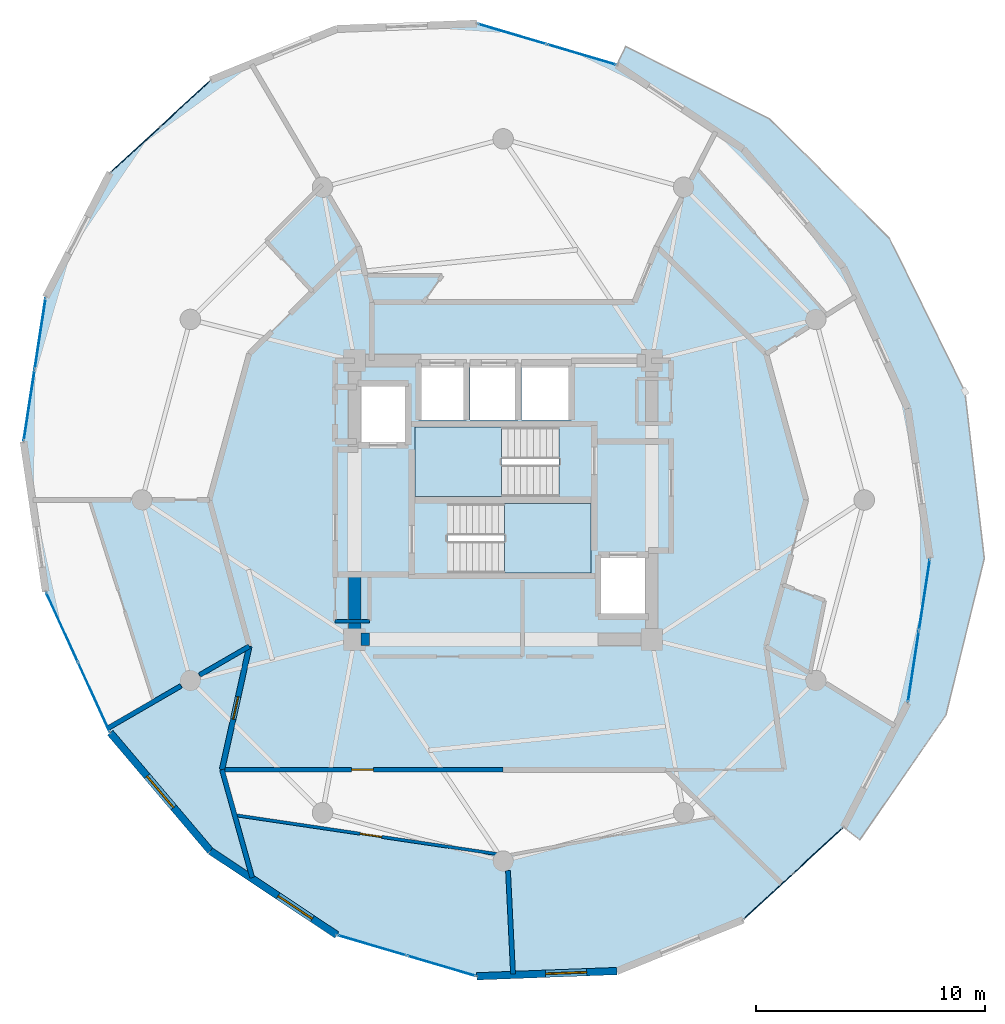
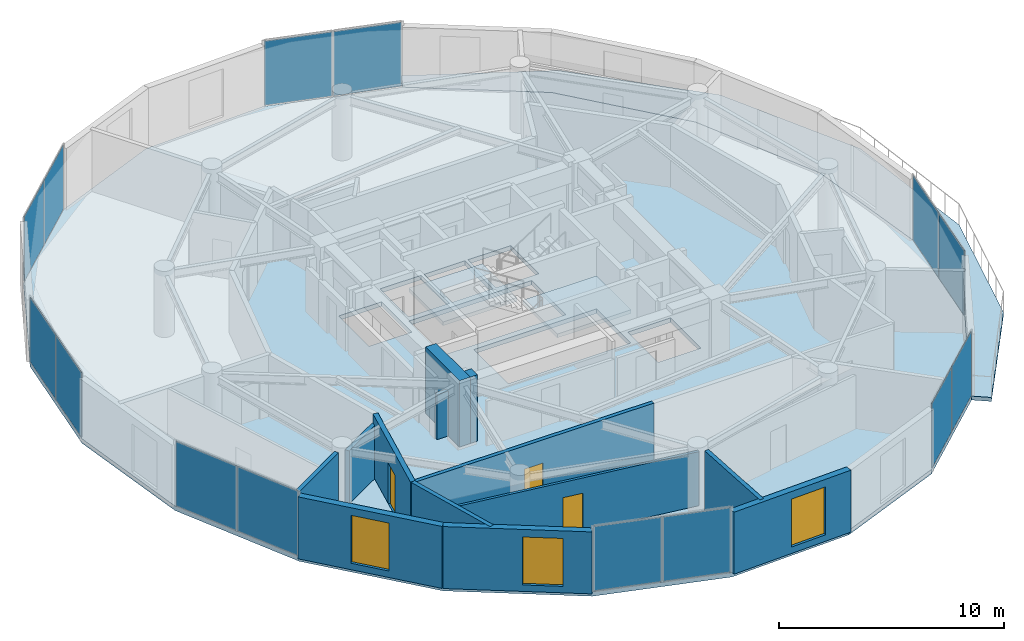
# One storey, part 18 of 24: 14 plates, 13 walls, 4 slabs, 3 doors, 3 windows, 6 openings, 9 elements without a shape of their own.
"""IFC4 building model written with IfcOpenShell, lengths in metres."""

from ifc_helpers import new_model, si_unit, direction, frame, frame_2d, origin, origin_2d, place, context, subcontext, project, spatial, polyline, rectangle, outline, extrude, source, transform, mapped, material, layer, layer_set, type_object, element, fill, aggregate, save


model = new_model("IFC4")

# Units and contexts
model_context = context("Model", 3, precision=1e-05, world=origin(), true_north=direction((0.0, 1.0)))
body_context = subcontext(model_context, "Body", "Model", "MODEL_VIEW")
ifc_project = project(units=[si_unit("LENGTHUNIT", "METRE"), si_unit("AREAUNIT", "SQUARE_METRE"), si_unit("VOLUMEUNIT", "CUBIC_METRE"), si_unit("PLANEANGLEUNIT", "RADIAN"), si_unit("MASSUNIT", "GRAM", prefix="KILO")], contexts=[model_context])

# Site, building, storey
site_placement = place(None, origin())
site = spatial("IfcSite", under=ifc_project, at=site_placement, CompositionType="ELEMENT")
building_placement = place(site_placement, origin())
building = spatial("IfcBuilding", under=site, at=building_placement, Name="Solvirekh Grand Hotel", CompositionType="ELEMENT")
storey_placement = place(building_placement, frame((0.0, 0.0, 184.0)))
storey = spatial("IfcBuildingStorey", under=building, at=storey_placement, Name="L47", CompositionType="ELEMENT", Elevation=184.0)

# Slab
ifc_material_1 = material(Name="Concrete C50/60", Category="concrete")
ifc_layer_1 = layer(ifc_material_1, 0.215087890625)
ifc_layer_set_1 = layer_set([ifc_layer_1], Name="Concrete C50/60")
slab_type_1 = type_object("IfcSlabType", Name="ExtCrescentBalc_215", PredefinedType="FLOOR", material=ifc_layer_set_1)
slab_1_placement = place(storey_placement, frame((0.0, 0.0, -0.215087890625)))
element("IfcSlab", 1, at=slab_1_placement, inside=storey, type_object=slab_type_1, Name="L47 sweeping crescent balcony slab", PredefinedType="FLOOR", context=body_context, shape_type="SweptSolid", body=[
    extrude(outline(polyline([(15.60791015625, -14.863037109375), (19.3740234375, -9.408935546875), (21.051025390625, -2.55810546875), (20.200927734375, 4.748046875), (16.89501953125, 11.451904296875), (11.6708984375, 16.6630859375), (5.361083984375, 19.844970703125), (4.97802734375, 19.031005859375), (10.506103515625, 15.35693359375), (14.89208984375, 10.180908203125), (17.7080078125, 4.008056640625), (18.678955078125, -2.55810546875), (17.7080078125, -8.873046875), (14.89111328125, -14.319091796875), (15.60791015625, -14.863037109375)])), origin(), (0.0, 0.0, 1.0), 0.215087890625),
])

# Stair, slab
ifc_material_2 = material(Name="Concrete C40/50", Category="concrete")
stair_type = type_object("IfcStairType", Name="Stair_Core_1450", PredefinedType="HALF_TURN_STAIR", material=ifc_material_2)
stair_1_placement = place(storey_placement, origin())
stair_1 = element("IfcStair", 2, at=stair_1_placement, inside=storey, type_object=stair_type, Name="L47 Enclosed exit stair ST-1", PredefinedType="HALF_TURN_STAIR")
ifc_layer_2 = layer(ifc_material_2, 0.199951171875)
ifc_layer_set_2 = layer_set([ifc_layer_2], Name="Concrete C40/50")
slab_type_2 = type_object("IfcSlabType", Name="Landing_Stair_200", PredefinedType="LANDING", material=ifc_layer_set_2)
slab_2_placement = place(storey_placement, frame((0.0, 0.0, 1.60009765625)))
slab_2 = element("IfcSlab", 3, at=slab_2_placement, type_object=slab_type_2, Name="ST-1 landing 1", PredefinedType="LANDING", context=body_context, shape_type="SweptSolid", body=[
    extrude(outline(polyline([(0.070068359375, -3.199951171875), (3.85009765625, -3.199951171875), (3.85009765625, -0.14990234375), (0.070068359375, -0.14990234375), (0.070068359375, -3.199951171875)])), origin(), (0.0, 0.0, 1.0), 0.199951171875),
])
aggregate(stair_1, [slab_2])

stair_2_placement = place(storey_placement, origin())
stair_2 = element("IfcStair", 4, at=stair_2_placement, inside=storey, type_object=stair_type, Name="L47 Enclosed exit stair ST-2", PredefinedType="HALF_TURN_STAIR")
slab_3_placement = place(storey_placement, frame((0.0, 0.0, 1.60009765625)))
slab_3 = element("IfcSlab", 5, at=slab_3_placement, type_object=slab_type_2, Name="ST-2 landing 1", PredefinedType="LANDING", context=body_context, shape_type="SweptSolid", body=[
    extrude(outline(polyline([(-0.070068359375, 3.199951171875), (-3.85009765625, 3.199951171875), (-3.85009765625, 0.14990234375), (-0.070068359375, 0.14990234375), (-0.070068359375, 3.199951171875)])), origin(), (0.0, 0.0, 1.0), 0.199951171875),
])
aggregate(stair_2, [slab_3])

# Slab
ifc_layer_3 = layer(ifc_material_2, 0.239990234375)
ifc_layer_set_3 = layer_set([ifc_layer_3], Name="Concrete C40/50")
slab_type_3 = type_object("IfcSlabType", Name="Slab_GuestZ3_240", PredefinedType="FLOOR", material=ifc_layer_set_3)
slab_4_placement = place(storey_placement, frame((0.0, 0.0, -0.239990234375)))
element("IfcSlab", 6, at=slab_4_placement, inside=storey, type_object=slab_type_3, Name="L47 structural floor slab", PredefinedType="FLOOR", context=body_context, shape_type="SweptSolid", body=[
    extrude(outline(polyline([(10.50390625, -18.364013671875), (14.89111328125, -14.319091796875), (17.7080078125, -8.873046875), (18.678955078125, -2.55810546875), (17.7080078125, 4.008056640625), (14.89208984375, 10.180908203125), (10.506103515625, 15.35693359375), (4.97802734375, 19.031005859375), (-1.14892578125, 20.841064453125), (-7.277099609375, 20.611083984375), (-12.803955078125, 18.364013671875), (-17.19091796875, 14.319091796875), (-20.008056640625, 8.873046875), (-20.97900390625, 2.55810546875), (-20.008056640625, -4.008056640625), (-17.19189453125, -10.180908203125), (-12.805908203125, -15.35693359375), (-7.278076171875, -19.031005859375), (-1.15087890625, -20.841064453125), (4.97705078125, -20.611083984375), (10.50390625, -18.364013671875)]), holes=[polyline([(-2.444091796875, -0.14990234375), (3.85009765625, -0.14990234375), (3.85009765625, -3.199951171875), (-2.444091796875, -3.199951171875), (-2.444091796875, -0.14990234375)]), polyline([(2.444091796875, 0.14990234375), (-3.85009765625, 0.14990234375), (-3.85009765625, 3.199951171875), (2.444091796875, 3.199951171875), (2.444091796875, 0.14990234375)]), polyline([(-3.699951171875, 6.0), (-1.60009765625, 6.0), (-1.60009765625, 3.5), (-3.699951171875, 3.5), (-3.699951171875, 6.0)]), polyline([(-1.449951171875, 6.0), (0.64990234375, 6.0), (0.64990234375, 3.5), (-1.449951171875, 3.5), (-1.449951171875, 6.0)]), polyline([(0.800048828125, 6.0), (3.0, 6.0), (3.0, 3.5), (0.800048828125, 3.5), (0.800048828125, 6.0)]), polyline([(-6.35009765625, 5.10009765625), (-4.14990234375, 5.10009765625), (-4.14990234375, 2.39990234375), (-6.35009765625, 2.39990234375), (-6.35009765625, 5.10009765625)]), polyline([(4.14990234375, -2.39990234375), (6.35009765625, -2.39990234375), (6.35009765625, -5.10009765625), (4.14990234375, -5.10009765625), (4.14990234375, -2.39990234375)])]), origin(), (0.0, 0.0, 1.0), 0.239990234375),
])

# Curtain wall, plates
ifc_material_3 = material(Name="Anodized Bronze Aluminium 6063-T6", Category="aluminium")
ifc_layer_4 = layer(ifc_material_3, 0.159912109375)
ifc_layer_set_4 = layer_set([ifc_layer_4], Name="Anodized Bronze Aluminium 6063-T6")
curtain_wall_type = type_object("IfcCurtainWallType", Name="CW_Sys4_HighZoneFlushBronzeCW", PredefinedType="NOTDEFINED", material=ifc_layer_set_4)
curtain_wall_1_placement = place(storey_placement, origin())
curtain_wall_1 = element("IfcCurtainWall", 7, at=curtain_wall_1_placement, inside=storey, type_object=curtain_wall_type, Name="L47 unitised bronze-glass curtain wall CW-L47-C15", PredefinedType="NOTDEFINED")
ifc_material_4 = material(Name="Low-E Tinted Bronze Laminated Glass", Category="aluminium")
ifc_layer_5 = layer(ifc_material_4, 0.033935546875)
ifc_layer_set_5 = layer_set([ifc_layer_5], Name="Low-E Tinted Bronze Laminated Glass")
plate_type = type_object("IfcPlateType", Name="CWPanel_High_34", PredefinedType="CURTAIN_PANEL", material=ifc_layer_set_5)
shared_shape_1 = source(origin(), body_context, "Body", "SweptSolid", [
    extrude(rectangle(XDim=3.302490234375, YDim=0.033935546875, at=origin_2d()), origin(), (0.0, 0.0, 1.0), 3.489990234375),
])
plate_1_placement = place(storey_placement, frame((-19.2978515625, -5.56494140625, 0.05517578125), z_axis=(0.0, 0.0, 1.0), x_axis=(0.415035144784, -0.909805379515, 0.0)))
plate_1 = element("IfcPlate", 8, at=plate_1_placement, type_object=plate_type, Name="U04 panel 1.1", PredefinedType="CURTAIN_PANEL", context=body_context, shape_type="MappedRepresentation", body=[
    mapped(shared_shape_1, transform((0.0, 0.0, 0.0), x_axis=(1.0, 0.0, 0.0), y_axis=(0.0, 1.0, 0.0), z_axis=(0.0, 0.0, 1.0), scale=1.0)),
])
plate_2_placement = place(storey_placement, frame((-17.90234375, -8.6240234375, 0.05517578125), z_axis=(0.0, 0.0, 1.0), x_axis=(0.415035144784, -0.909805379515, 0.0)))
plate_2 = element("IfcPlate", 9, at=plate_2_placement, type_object=plate_type, Name="U04 panel 2.1", PredefinedType="CURTAIN_PANEL", context=body_context, shape_type="MappedRepresentation", body=[
    mapped(shared_shape_1, transform((0.0, 0.0, 0.0), x_axis=(1.0, 0.0, 0.0), y_axis=(0.0, 1.0, 0.0), z_axis=(0.0, 0.0, 1.0), scale=1.0)),
])
aggregate(curtain_wall_1, [plate_1, plate_2])

curtain_wall_2_placement = place(storey_placement, origin())
curtain_wall_2 = element("IfcCurtainWall", 10, at=curtain_wall_2_placement, inside=storey, type_object=curtain_wall_type, Name="L47 unitised bronze-glass curtain wall CW-L47-C01", PredefinedType="NOTDEFINED")
shared_shape_2 = source(origin(), body_context, "Body", "SweptSolid", [
    extrude(rectangle(XDim=2.8935546875, YDim=0.033935546875, at=origin_2d()), origin(), (0.0, 0.0, 1.0), 3.489990234375),
])
plate_3_placement = place(storey_placement, frame((11.61181640625, -17.342529296875, 0.05517578125), z_axis=(0.0, 0.0, 1.0), x_axis=(0.735182397228, 0.677869340512, 0.0)))
plate_3 = element("IfcPlate", 11, at=plate_3_placement, type_object=plate_type, Name="U04 panel 1.1", PredefinedType="CURTAIN_PANEL", context=body_context, shape_type="MappedRepresentation", body=[
    mapped(shared_shape_2, transform((0.0, 0.0, 0.0), x_axis=(1.0, 0.0, 0.0), y_axis=(0.0, 1.0, 0.0), z_axis=(0.0, 0.0, 1.0), scale=1.0)),
])
plate_4_placement = place(storey_placement, frame((13.783203125, -15.34033203125, 0.05517578125), z_axis=(0.0, 0.0, 1.0), x_axis=(0.735182397228, 0.677869340512, 0.0)))
plate_4 = element("IfcPlate", 12, at=plate_4_placement, type_object=plate_type, Name="U04 panel 2.1", PredefinedType="CURTAIN_PANEL", context=body_context, shape_type="MappedRepresentation", body=[
    mapped(shared_shape_2, transform((0.0, 0.0, 0.0), x_axis=(1.0, 0.0, 0.0), y_axis=(0.0, 1.0, 0.0), z_axis=(0.0, 0.0, 1.0), scale=1.0)),
])
aggregate(curtain_wall_2, [plate_3, plate_4])

curtain_wall_3_placement = place(storey_placement, origin())
curtain_wall_3 = element("IfcCurtainWall", 13, at=curtain_wall_3_placement, inside=storey, type_object=curtain_wall_type, Name="L47 unitised bronze-glass curtain wall CW-L47-C11", PredefinedType="NOTDEFINED")
plate_5_placement = place(storey_placement, frame((-13.911865234375, 17.342529296875, 0.05517578125), z_axis=(0.0, 0.0, 1.0), x_axis=(-0.735182397228, -0.677869340512, 0.0)))
plate_5 = element("IfcPlate", 14, at=plate_5_placement, type_object=plate_type, Name="U04 panel 1.1", PredefinedType="CURTAIN_PANEL", context=body_context, shape_type="MappedRepresentation", body=[
    mapped(shared_shape_2, transform((0.0, 0.0, 0.0), x_axis=(1.0, 0.0, 0.0), y_axis=(0.0, 1.0, 0.0), z_axis=(0.0, 0.0, 1.0), scale=1.0)),
])
plate_6_placement = place(storey_placement, frame((-16.083251953125, 15.34033203125, 0.05517578125), z_axis=(0.0, 0.0, 1.0), x_axis=(-0.735182397228, -0.677869340512, 0.0)))
plate_6 = element("IfcPlate", 15, at=plate_6_placement, type_object=plate_type, Name="U04 panel 2.1", PredefinedType="CURTAIN_PANEL", context=body_context, shape_type="MappedRepresentation", body=[
    mapped(shared_shape_2, transform((0.0, 0.0, 0.0), x_axis=(1.0, 0.0, 0.0), y_axis=(0.0, 1.0, 0.0), z_axis=(0.0, 0.0, 1.0), scale=1.0)),
])
aggregate(curtain_wall_3, [plate_5, plate_6])

curtain_wall_4_placement = place(storey_placement, origin())
curtain_wall_4 = element("IfcCurtainWall", 16, at=curtain_wall_4_placement, inside=storey, type_object=curtain_wall_type, Name="L47 unitised bronze-glass curtain wall CW-L47-C03", PredefinedType="NOTDEFINED")
shared_shape_3 = source(origin(), body_context, "Body", "SweptSolid", [
    extrude(rectangle(XDim=3.1044921875, YDim=0.033935546875, at=origin_2d()), origin(), (0.0, 0.0, 1.0), 3.489990234375),
])
plate_7_placement = place(storey_placement, frame((17.953125, -7.279541015625, 0.05517578125), z_axis=(0.0, 0.0, 1.0), x_axis=(0.151974855674, 0.988384360076, 0.0)))
plate_7 = element("IfcPlate", 17, at=plate_7_placement, type_object=plate_type, Name="U04 panel 1.1", PredefinedType="CURTAIN_PANEL", context=body_context, shape_type="MappedRepresentation", body=[
    mapped(shared_shape_3, transform((0.0, 0.0, 0.0), x_axis=(1.0, 0.0, 0.0), y_axis=(0.0, 1.0, 0.0), z_axis=(0.0, 0.0, 1.0), scale=1.0)),
])
plate_8_placement = place(storey_placement, frame((18.43408203125, -4.151611328125, 0.05517578125), z_axis=(0.0, 0.0, 1.0), x_axis=(0.151974855674, 0.988384360076, 0.0)))
plate_8 = element("IfcPlate", 18, at=plate_8_placement, type_object=plate_type, Name="U04 panel 2.1", PredefinedType="CURTAIN_PANEL", context=body_context, shape_type="MappedRepresentation", body=[
    mapped(shared_shape_3, transform((0.0, 0.0, 0.0), x_axis=(1.0, 0.0, 0.0), y_axis=(0.0, 1.0, 0.0), z_axis=(0.0, 0.0, 1.0), scale=1.0)),
])
aggregate(curtain_wall_4, [plate_7, plate_8])

curtain_wall_5_placement = place(storey_placement, origin())
curtain_wall_5 = element("IfcCurtainWall", 19, at=curtain_wall_5_placement, inside=storey, type_object=curtain_wall_type, Name="L47 unitised bronze-glass curtain wall CW-L47-C08", PredefinedType="NOTDEFINED")
plate_9_placement = place(storey_placement, frame((3.431884765625, 19.48779296875, 0.05517578125), z_axis=(0.0, 0.0, 1.0), x_axis=(-0.959028340669, 0.283310151236, 0.0)))
plate_9 = element("IfcPlate", 20, at=plate_9_placement, type_object=plate_type, Name="U04 panel 1.1", PredefinedType="CURTAIN_PANEL", context=body_context, shape_type="MappedRepresentation", body=[
    mapped(shared_shape_3, transform((0.0, 0.0, 0.0), x_axis=(1.0, 0.0, 0.0), y_axis=(0.0, 1.0, 0.0), z_axis=(0.0, 0.0, 1.0), scale=1.0)),
])
plate_10_placement = place(storey_placement, frame((0.397216796875, 20.38427734375, 0.05517578125), z_axis=(0.0, 0.0, 1.0), x_axis=(-0.959028340669, 0.283310151236, 0.0)))
plate_10 = element("IfcPlate", 21, at=plate_10_placement, type_object=plate_type, Name="U04 panel 2.1", PredefinedType="CURTAIN_PANEL", context=body_context, shape_type="MappedRepresentation", body=[
    mapped(shared_shape_3, transform((0.0, 0.0, 0.0), x_axis=(1.0, 0.0, 0.0), y_axis=(0.0, 1.0, 0.0), z_axis=(0.0, 0.0, 1.0), scale=1.0)),
])
aggregate(curtain_wall_5, [plate_9, plate_10])

curtain_wall_6_placement = place(storey_placement, origin())
curtain_wall_6 = element("IfcCurtainWall", 22, at=curtain_wall_6_placement, inside=storey, type_object=curtain_wall_type, Name="L47 unitised bronze-glass curtain wall CW-L47-C13", PredefinedType="NOTDEFINED")
plate_11_placement = place(storey_placement, frame((-20.2529296875, 7.279541015625, 0.05517578125), z_axis=(0.0, 0.0, 1.0), x_axis=(-0.151974855674, -0.988384360076, 0.0)))
plate_11 = element("IfcPlate", 23, at=plate_11_placement, type_object=plate_type, Name="U04 panel 1.1", PredefinedType="CURTAIN_PANEL", context=body_context, shape_type="MappedRepresentation", body=[
    mapped(shared_shape_3, transform((0.0, 0.0, 0.0), x_axis=(1.0, 0.0, 0.0), y_axis=(0.0, 1.0, 0.0), z_axis=(0.0, 0.0, 1.0), scale=1.0)),
])
plate_12_placement = place(storey_placement, frame((-20.73388671875, 4.151611328125, 0.05517578125), z_axis=(0.0, 0.0, 1.0), x_axis=(-0.151974855674, -0.988384360076, 0.0)))
plate_12 = element("IfcPlate", 24, at=plate_12_placement, type_object=plate_type, Name="U04 panel 2.1", PredefinedType="CURTAIN_PANEL", context=body_context, shape_type="MappedRepresentation", body=[
    mapped(shared_shape_3, transform((0.0, 0.0, 0.0), x_axis=(1.0, 0.0, 0.0), y_axis=(0.0, 1.0, 0.0), z_axis=(0.0, 0.0, 1.0), scale=1.0)),
])
aggregate(curtain_wall_6, [plate_11, plate_12])

curtain_wall_7_placement = place(storey_placement, origin())
curtain_wall_7 = element("IfcCurtainWall", 25, at=curtain_wall_7_placement, inside=storey, type_object=curtain_wall_type, Name="L47 unitised bronze-glass curtain wall CW-L47-C18", PredefinedType="NOTDEFINED")
plate_13_placement = place(storey_placement, frame((-5.73193359375, -19.48779296875, 0.05517578125), z_axis=(0.0, 0.0, 1.0), x_axis=(0.959028340669, -0.283310151236, 0.0)))
plate_13 = element("IfcPlate", 26, at=plate_13_placement, type_object=plate_type, Name="U04 panel 1.1", PredefinedType="CURTAIN_PANEL", context=body_context, shape_type="MappedRepresentation", body=[
    mapped(shared_shape_3, transform((0.0, 0.0, 0.0), x_axis=(1.0, 0.0, 0.0), y_axis=(0.0, 1.0, 0.0), z_axis=(0.0, 0.0, 1.0), scale=1.0)),
])
plate_14_placement = place(storey_placement, frame((-2.697021484375, -20.38427734375, 0.05517578125), z_axis=(0.0, 0.0, 1.0), x_axis=(0.959028340669, -0.283310151236, 0.0)))
plate_14 = element("IfcPlate", 27, at=plate_14_placement, type_object=plate_type, Name="U04 panel 2.1", PredefinedType="CURTAIN_PANEL", context=body_context, shape_type="MappedRepresentation", body=[
    mapped(shared_shape_3, transform((0.0, 0.0, 0.0), x_axis=(1.0, 0.0, 0.0), y_axis=(0.0, 1.0, 0.0), z_axis=(0.0, 0.0, 1.0), scale=1.0)),
])
aggregate(curtain_wall_7, [plate_13, plate_14])

# Walls
ifc_layer_6 = layer(ifc_material_1, 0.550048828125)
ifc_layer_set_6 = layer_set([ifc_layer_6], Name="Concrete C50/60")
wall_type_1 = type_object("IfcWallType", Name="CoreWall_RC550", PredefinedType="SHEAR", material=ifc_layer_set_6)
wall_1_placement = place(storey_placement, frame((-6.22509765625, -6.10009765625, 0.0), z_axis=(0.0, 0.0, 1.0), x_axis=(1.0, 0.0, 0.0)))
element("IfcWall", 28, at=wall_1_placement, inside=storey, type_object=wall_type_1, Name="L47 core corner shear wall SW-S", PredefinedType="SHEAR", context=body_context, shape_type="SweptSolid", body=[
    extrude(rectangle(XDim=0.375, YDim=0.550048828125, at=frame_2d((0.1875, 0.0))), origin(), (0.0, 0.0, 1.0), 3.60009765625),
])
wall_2_placement = place(storey_placement, frame((-6.5, -6.375, 0.0), z_axis=(0.0, 0.0, 1.0), x_axis=(0.0, 1.0, 0.0)))
element("IfcWall", 29, at=wall_2_placement, inside=storey, type_object=wall_type_1, Name="L47 core corner shear wall WS-W", PredefinedType="SHEAR", context=body_context, shape_type="SweptSolid", body=[
    extrude(rectangle(XDim=3.02490234375, YDim=0.550048828125, at=frame_2d((1.512451171875, 0.0))), origin(), (0.0, 0.0, 1.0), 3.60009765625),
])

# Wall, opening, window
ifc_material_5 = material(Name="Precast concrete C45/55", Category="concrete")
ifc_layer_7 = layer(ifc_material_5, 0.320068359375)
ifc_layer_set_7 = layer_set([ifc_layer_7], Name="Precast concrete C45/55")
wall_type_2 = type_object("IfcWallType", Name="ExtLobbyWall_RC320", PredefinedType="SOLIDWALL", material=ifc_layer_set_7)
wall_3_placement = place(storey_placement, frame((-12.805908203125, -15.35693359375, 0.0), z_axis=(0.0, 0.0, 1.0), x_axis=(-0.646480871515, 0.762930195212, 0.0)))
wall_3 = element("IfcWall", 30, at=wall_3_placement, inside=storey, type_object=wall_type_2, Name="L47 exterior structural wall chord 16", PredefinedType="SOLIDWALL", context=body_context, shape_type="SweptSolid", body=[
    extrude(rectangle(XDim=6.784423828125, YDim=0.320068359375, at=frame_2d((3.39208984375, 0.0))), origin(), (0.0, 0.0, 1.0), 3.360107421875),
])
opening_1_placement = place(wall_3_placement, frame((2.491943359375, 0.0, 0.35009765625)))
opening_1 = element("IfcOpeningElement", 31, at=opening_1_placement, cuts=wall_3, Name="Opening W02", PredefinedType="OPENING", context=body_context, shape_type="SweptSolid", body=[
    extrude(rectangle(XDim=1.800048828125, YDim=2.60009765625, at=frame_2d((0.89990234375, 1.300048828125))), frame((0.0, 0.169921875, 0.0), z_axis=(0.0, -1.0, 0.0), x_axis=(1.0, 0.0, 0.0)), (0.0, 0.0, 1.0), 0.340087890625),
])
window_type = type_object("IfcWindowType", Name="Win_LobbyExt_1800X2600", PartitioningType="SINGLE_PANEL", PredefinedType="WINDOW", material=ifc_material_4)
window_1_placement = place(opening_1_placement, origin())
window_1 = element("IfcWindow", 32, at=window_1_placement, inside=storey, type_object=window_type, Name="L47 panoramic bronze-framed window 16", OverallHeight=2.60009765625, OverallWidth=1.800048828125, PartitioningType="SINGLE_PANEL", PredefinedType="WINDOW", context=body_context, shape_type="SweptSolid", body=[
    extrude(rectangle(XDim=1.800048828125, YDim=2.60009765625, at=frame_2d((0.89990234375, 1.300048828125))), frame((0.0, 0.030029296875, 0.0), z_axis=(0.0, -1.0, 0.0), x_axis=(1.0, 0.0, 0.0)), (0.0, 0.0, 1.0), 0.06005859375),
])
fill(opening_1, window_1)

wall_4_placement = place(storey_placement, frame((-7.278076171875, -19.031005859375, 0.0), z_axis=(0.0, 0.0, 1.0), x_axis=(-0.832824739321, 0.553536768043, 0.0)))
wall_4 = element("IfcWall", 33, at=wall_4_placement, inside=storey, type_object=wall_type_2, Name="L47 exterior structural wall chord 17", PredefinedType="SOLIDWALL", context=body_context, shape_type="SweptSolid", body=[
    extrude(rectangle(XDim=6.637451171875, YDim=0.320068359375, at=frame_2d((3.31884765625, 0.0))), origin(), (0.0, 0.0, 1.0), 3.360107421875),
])
opening_2_placement = place(wall_4_placement, frame((1.284912109375, 0.0, 0.35009765625)))
opening_2 = element("IfcOpeningElement", 34, at=opening_2_placement, cuts=wall_4, Name="Opening W02", PredefinedType="OPENING", context=body_context, shape_type="SweptSolid", body=[
    extrude(rectangle(XDim=1.800048828125, YDim=2.60009765625, at=frame_2d((0.89990234375, 1.300048828125))), frame((0.0, 0.169921875, 0.0), z_axis=(0.0, -1.0, 0.0), x_axis=(1.0, 0.0, 0.0)), (0.0, 0.0, 1.0), 0.340087890625),
])
window_2_placement = place(opening_2_placement, origin())
window_2 = element("IfcWindow", 35, at=window_2_placement, inside=storey, type_object=window_type, Name="L47 panoramic bronze-framed window 17", OverallHeight=2.60009765625, OverallWidth=1.800048828125, PartitioningType="SINGLE_PANEL", PredefinedType="WINDOW", context=body_context, shape_type="SweptSolid", body=[
    extrude(rectangle(XDim=1.800048828125, YDim=2.60009765625, at=frame_2d((0.89990234375, 1.300048828125))), frame((0.0, 0.030029296875, 0.0), z_axis=(0.0, -1.0, 0.0), x_axis=(1.0, 0.0, 0.0)), (0.0, 0.0, 1.0), 0.06005859375),
])
fill(opening_2, window_2)

wall_5_placement = place(storey_placement, frame((4.97705078125, -20.611083984375, 0.0), z_axis=(0.0, 0.0, 1.0), x_axis=(-0.999296497107, -0.037503478099, 0.0)))
wall_5 = element("IfcWall", 36, at=wall_5_placement, inside=storey, type_object=wall_type_2, Name="L47 exterior structural wall chord 19", PredefinedType="SOLIDWALL", context=body_context, shape_type="SweptSolid", body=[
    extrude(rectangle(XDim=6.13232421875, YDim=0.320068359375, at=frame_2d((3.066162109375, 0.0))), origin(), (0.0, 0.0, 1.0), 3.360107421875),
])
opening_3_placement = place(wall_5_placement, frame((1.322021484375, 0.0, 0.35009765625)))
opening_3 = element("IfcOpeningElement", 37, at=opening_3_placement, cuts=wall_5, Name="Opening W02", PredefinedType="OPENING", context=body_context, shape_type="SweptSolid", body=[
    extrude(rectangle(XDim=1.800048828125, YDim=2.60009765625, at=frame_2d((0.89990234375, 1.300048828125))), frame((0.0, 0.169921875, 0.0), z_axis=(0.0, -1.0, 0.0), x_axis=(1.0, 0.0, 0.0)), (0.0, 0.0, 1.0), 0.340087890625),
])
window_3_placement = place(opening_3_placement, origin())
window_3 = element("IfcWindow", 38, at=window_3_placement, inside=storey, type_object=window_type, Name="L47 panoramic bronze-framed window 19", OverallHeight=2.60009765625, OverallWidth=1.800048828125, PartitioningType="SINGLE_PANEL", PredefinedType="WINDOW", context=body_context, shape_type="SweptSolid", body=[
    extrude(rectangle(XDim=1.800048828125, YDim=2.60009765625, at=frame_2d((0.89990234375, 1.300048828125))), frame((0.0, 0.030029296875, 0.0), z_axis=(0.0, -1.0, 0.0), x_axis=(1.0, 0.0, 0.0)), (0.0, 0.0, 1.0), 0.06005859375),
])
fill(opening_3, window_3)

# Wall
ifc_material_6 = material(Name="Acoustic Gypsum Partition Assembly")
ifc_layer_8 = layer(ifc_material_6, 0.1650390625)
ifc_layer_set_8 = layer_set([ifc_layer_8], Name="Acoustic Gypsum Partition Assembly")
wall_type_3 = type_object("IfcWallType", Name="Part_BOH_165", PredefinedType="PARTITIONING", material=ifc_layer_set_8)
wall_6_placement = place(storey_placement, frame((-7.35009765625, -5.300048828125, 0.0), z_axis=(0.0, 0.0, 1.0), x_axis=(1.0, 0.0, 0.0)))
element("IfcWall", 39, at=wall_6_placement, inside=storey, type_object=wall_type_3, Name="L47 L47 Butler Service Closet wall 1", PredefinedType="PARTITIONING", context=body_context, shape_type="SweptSolid", body=[
    extrude(rectangle(XDim=1.5, YDim=0.1650390625, at=frame_2d((0.75, 0.0))), origin(), (0.0, 0.0, 1.0), 2.445068359375),
])

# Wall, opening, door
ifc_layer_9 = layer(ifc_material_6, 0.239990234375)
ifc_layer_set_9 = layer_set([ifc_layer_9], Name="Acoustic Gypsum Partition Assembly")
wall_type_4 = type_object("IfcWallType", Name="Part_Corridor_240", PredefinedType="PARTITIONING", material=ifc_layer_set_9)
wall_7_placement = place(storey_placement, frame((-11.10205078125, -6.39990234375, 0.0), z_axis=(0.0, 0.0, 1.0), x_axis=(-0.216579944639, -0.976264885971, 0.0)))
wall_7 = element("IfcWall", 40, at=wall_7_placement, inside=storey, type_object=wall_type_4, Name="L47 L47 South-West Study Lounge entrance wall", PredefinedType="PARTITIONING", context=body_context, shape_type="SweptSolid", body=[
    extrude(rectangle(XDim=5.531494140625, YDim=0.239990234375, at=frame_2d((2.765625, 0.0))), origin(), (0.0, 0.0, 1.0), 3.360107421875),
])
opening_4_placement = place(wall_7_placement, frame((2.26611328125, 0.0, 0.0)))
opening_4 = element("IfcOpeningElement", 41, at=opening_4_placement, cuts=wall_7, Name="Opening D07", PredefinedType="OPENING", context=body_context, shape_type="SweptSolid", body=[
    extrude(rectangle(XDim=1.0, YDim=2.199951171875, at=frame_2d((0.5, 1.10009765625))), frame((0.0, 0.1298828125, 0.0), z_axis=(0.0, -1.0, 0.0), x_axis=(1.0, 0.0, 0.0)), (0.0, 0.0, 1.0), 0.260009765625),
])
ifc_material_7 = material(Name="Fire-Rated Steel Door Assembly", Category="steel")
door_type_1 = type_object("IfcDoorType", Name="Door_GuestEntry_1000X2200", OperationType="NOTDEFINED", PredefinedType="DOOR", material=ifc_material_7)
door_1_placement = place(opening_4_placement, origin())
door_1 = element("IfcDoor", 42, at=door_1_placement, inside=storey, type_object=door_type_1, Name="L47 L47 South-West Study Lounge entrance door", OperationType="SINGLE_SWING_RIGHT", OverallHeight=2.199951171875, OverallWidth=1.0, PredefinedType="DOOR", context=body_context, shape_type="SweptSolid", body=[
    extrude(rectangle(XDim=1.0, YDim=2.199951171875, at=frame_2d((0.5, 1.10009765625))), frame((0.0, 0.02490234375, 0.0), z_axis=(0.0, -1.0, 0.0), x_axis=(1.0, 0.0, 0.0)), (0.0, 0.0, 1.0), 0.050048828125),
])
fill(opening_4, door_1)

ifc_layer_10 = layer(ifc_material_6, 0.18994140625)
ifc_layer_set_10 = layer_set([ifc_layer_10], Name="Acoustic Gypsum Partition Assembly")
wall_type_5 = type_object("IfcWallType", Name="Part_GuestDemise_190", PredefinedType="PARTITIONING", material=ifc_layer_set_10)
wall_8_placement = place(storey_placement, frame((-12.300048828125, -11.800048828125, 0.0), z_axis=(0.0, 0.0, 1.0), x_axis=(1.0, 0.0, 0.0)))
wall_8 = element("IfcWall", 43, at=wall_8_placement, inside=storey, type_object=wall_type_5, Name="L47 L47 Imperial Tea Lounge entrance wall", PredefinedType="PARTITIONING", context=body_context, shape_type="SweptSolid", body=[
    extrude(rectangle(XDim=12.300048828125, YDim=0.18994140625, at=frame_2d((6.14990234375, 0.0))), origin(), (0.0, 0.0, 1.0), 3.360107421875),
])
opening_5_placement = place(wall_8_placement, frame((5.675048828125, 0.0, 0.0)))
opening_5 = element("IfcOpeningElement", 44, at=opening_5_placement, cuts=wall_8, Name="Opening D10", PredefinedType="OPENING", context=body_context, shape_type="SweptSolid", body=[
    extrude(rectangle(XDim=0.949951171875, YDim=2.10009765625, at=frame_2d((0.47509765625, 1.050048828125))), frame((0.0, 0.10498046875, 0.0), z_axis=(0.0, -1.0, 0.0), x_axis=(1.0, 0.0, 0.0)), (0.0, 0.0, 1.0), 0.2099609375),
])
door_type_2 = type_object("IfcDoorType", Name="Door_RoomInt_950X2100", OperationType="NOTDEFINED", PredefinedType="DOOR", material=ifc_material_3)
door_2_placement = place(opening_5_placement, origin())
door_2 = element("IfcDoor", 45, at=door_2_placement, inside=storey, type_object=door_type_2, Name="L47 L47 Imperial Tea Lounge entrance door", OperationType="SINGLE_SWING_LEFT", OverallHeight=2.10009765625, OverallWidth=0.949951171875, PredefinedType="DOOR", context=body_context, shape_type="SweptSolid", body=[
    extrude(rectangle(XDim=0.949951171875, YDim=2.10009765625, at=frame_2d((0.47509765625, 1.050048828125))), frame((0.0, 0.02490234375, 0.0), z_axis=(0.0, -1.0, 0.0), x_axis=(1.0, 0.0, 0.0)), (0.0, 0.0, 1.0), 0.050048828125),
])
fill(opening_5, door_2)

ifc_layer_11 = layer(ifc_material_6, 0.135009765625)
ifc_layer_set_11 = layer_set([ifc_layer_11], Name="Acoustic Gypsum Partition Assembly")
wall_type_6 = type_object("IfcWallType", Name="Part_RoomInt_135", PredefinedType="PARTITIONING", material=ifc_layer_set_11)
wall_9_placement = place(storey_placement, frame((-11.7451171875, -13.783935546875, 0.0), z_axis=(0.0, 0.0, 1.0), x_axis=(0.989154922739, -0.146875930026, 0.0)))
wall_9 = element("IfcWall", 46, at=wall_9_placement, inside=storey, type_object=wall_type_6, Name="L47 L47 South Horizon Conservatory bedroom screen wall", PredefinedType="PARTITIONING", context=body_context, shape_type="SweptSolid", body=[
    extrude(rectangle(XDim=12.057861328125, YDim=0.135009765625, at=frame_2d((6.02880859375, 0.0))), origin(), (0.0, 0.0, 1.0), 2.928955078125),
])
opening_6_placement = place(wall_9_placement, frame((5.553955078125, 0.0, 0.0)))
opening_6 = element("IfcOpeningElement", 47, at=opening_6_placement, cuts=wall_9, Name="Opening D10", PredefinedType="OPENING", context=body_context, shape_type="SweptSolid", body=[
    extrude(rectangle(XDim=0.949951171875, YDim=2.10009765625, at=frame_2d((0.47509765625, 1.050048828125))), frame((0.0, 0.07763671875, 0.0), z_axis=(0.0, -1.0, 0.0), x_axis=(1.0, 0.0, 0.0)), (0.0, 0.0, 1.0), 0.155029296875),
])
door_3_placement = place(opening_6_placement, origin())
door_3 = element("IfcDoor", 48, at=door_3_placement, inside=storey, type_object=door_type_2, Name="L47 L47 South Horizon Conservatory master bedroom door", OperationType="SINGLE_SWING_LEFT", OverallHeight=2.10009765625, OverallWidth=0.949951171875, PredefinedType="DOOR", context=body_context, shape_type="SweptSolid", body=[
    extrude(rectangle(XDim=0.949951171875, YDim=2.10009765625, at=frame_2d((0.47509765625, 1.050048828125))), frame((0.0, 0.02490234375, 0.0), z_axis=(0.0, -1.0, 0.0), x_axis=(1.0, 0.0, 0.0)), (0.0, 0.0, 1.0), 0.050048828125),
])
fill(opening_6, door_3)

# Walls
ifc_layer_12 = layer(ifc_material_6, 0.2099609375)
ifc_layer_set_12 = layer_set([ifc_layer_12], Name="Acoustic Gypsum Partition Assembly")
wall_type_7 = type_object("IfcWallType", Name="Part_SuiteDemise_210", PredefinedType="PARTITIONING", material=ifc_layer_set_12)
wall_10_placement = place(storey_placement, frame((-11.10205078125, -6.39990234375, 0.0), z_axis=(0.0, 0.0, 1.0), x_axis=(-0.8654883009, -0.500929137708, 0.0)))
element("IfcWall", 49, at=wall_10_placement, inside=storey, type_object=wall_type_7, Name="L47 suite radial wall 8 (A)", PredefinedType="PARTITIONING", context=body_context, shape_type="SweptSolid", body=[
    extrude(rectangle(XDim=2.515380859375, YDim=0.2099609375, at=frame_2d((1.2578125, 0.0))), origin(), (0.0, 0.0, 1.0), 2.876953125),
])
wall_11_placement = place(storey_placement, frame((-14.092041015625, -8.131103515625, 0.0), z_axis=(0.0, 0.0, 1.0), x_axis=(-0.865475144778, -0.50095186772, 0.0)))
element("IfcWall", 50, at=wall_11_placement, inside=storey, type_object=wall_type_7, Name="L47 suite radial wall 8 (B)", PredefinedType="PARTITIONING", context=body_context, shape_type="SweptSolid", body=[
    extrude(rectangle(XDim=3.64892578125, YDim=0.2099609375, at=frame_2d((1.824462890625, 0.0))), origin(), (0.0, 0.0, 1.0), 3.360107421875),
])
wall_12_placement = place(storey_placement, frame((-12.300048828125, -11.800048828125, 0.0), z_axis=(0.0, 0.0, 1.0), x_axis=(0.269504390662, -0.962999160651, 0.0)))
element("IfcWall", 51, at=wall_12_placement, inside=storey, type_object=wall_type_7, Name="L47 L47 Imperial Tea Lounge dividing partition 2", PredefinedType="PARTITIONING", context=body_context, shape_type="SweptSolid", body=[
    extrude(rectangle(XDim=4.9052734375, YDim=0.2099609375, at=frame_2d((2.45263671875, 0.0))), origin(), (0.0, 0.0, 1.0), 3.360107421875),
])
wall_13_placement = place(storey_placement, frame((0.214111328125, -16.218017578125, 0.0), z_axis=(0.0, 0.0, 1.0), x_axis=(0.048576936136, -0.998819443781, 0.0)))
element("IfcWall", 52, at=wall_13_placement, inside=storey, type_object=wall_type_7, Name="L47 L47 South Horizon Conservatory dividing partition 1 (A)", PredefinedType="PARTITIONING", context=body_context, shape_type="SweptSolid", body=[
    extrude(rectangle(XDim=4.5283203125, YDim=0.2099609375, at=frame_2d((2.26416015625, 0.0))), origin(), (0.0, 0.0, 1.0), 3.360107421875),
])

save(model, "model.ifc")
